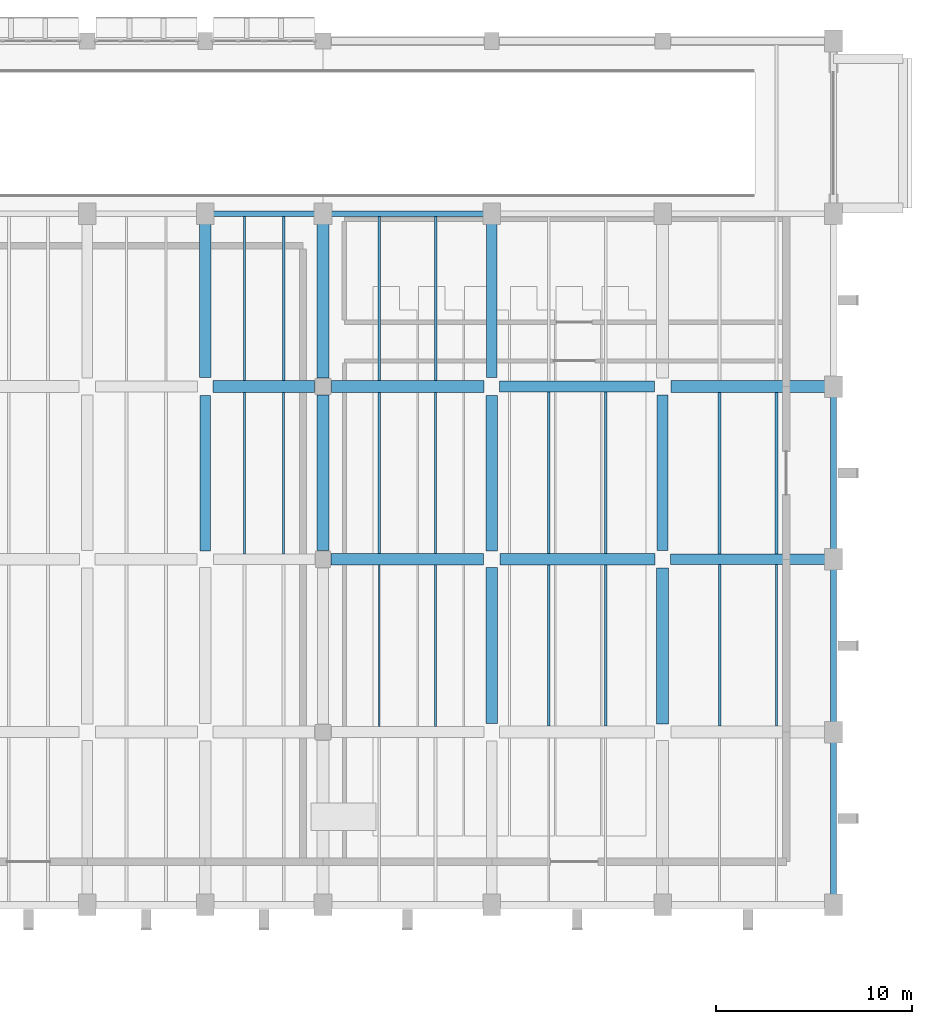
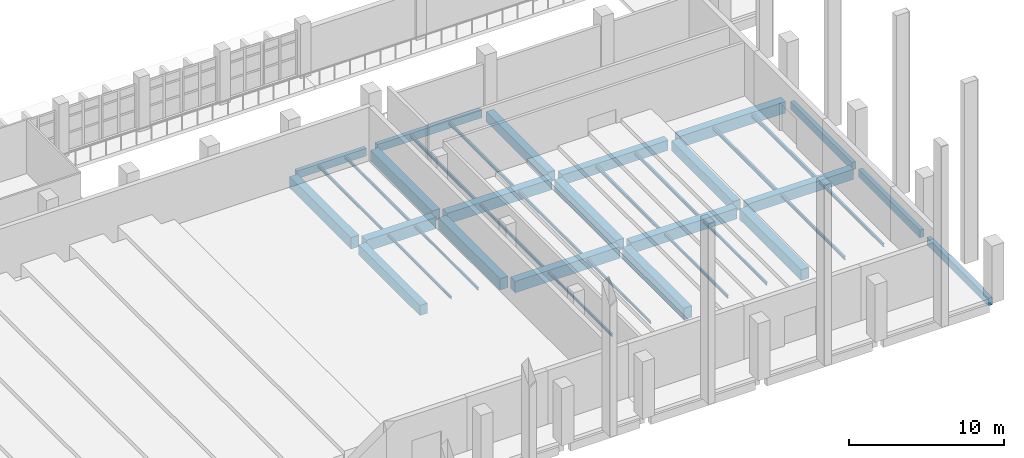
# One storey, part 47 of 76: 39 beams.
"""IFC4 building model written with IfcOpenShell, lengths in metres."""

from ifc_helpers import new_model, si_unit, direction, frame, origin, origin_2d, place, context, subcontext, project, spatial, rectangle, i_section, extrude, material, material_profile, profile_set, type_object, element, save


model = new_model("IFC4")

# Units and contexts
model_context = context("Model", 3, precision=1e-05, world=origin(), true_north=direction((0.0, 1.0)))
body_context = subcontext(model_context, "Body", "Model", "MODEL_VIEW")
ifc_project = project(units=[si_unit("LENGTHUNIT", "METRE"), si_unit("AREAUNIT", "SQUARE_METRE"), si_unit("VOLUMEUNIT", "CUBIC_METRE"), si_unit("PLANEANGLEUNIT", "RADIAN"), si_unit("MASSUNIT", "GRAM", prefix="KILO")], contexts=[model_context])

# Site, building, storey
site_placement = place(None, origin())
site = spatial("IfcSite", under=ifc_project, at=site_placement, CompositionType="ELEMENT")
building_placement = place(site_placement, origin())
building = spatial("IfcBuilding", under=site, at=building_placement, Name="Varnakota Cinema and Media Centre", CompositionType="ELEMENT")
storey_placement = place(building_placement, origin())
storey = spatial("IfcBuildingStorey", under=building, at=storey_placement, Name="L00", CompositionType="ELEMENT", Elevation=0.0)

# Beams
ifc_material_1 = material(Name="Concrete M35", Category="concrete")
ifc_material_profile_1 = material_profile(ifc_material_1, rectangle(XDim=0.550048828125, YDim=0.800048828125, at=origin_2d()), Name="RCB 550x800")
ifc_profile_set_1 = profile_set([ifc_material_profile_1], Name="Concrete M35")
beam_type_1 = type_object("IfcBeamType", Name="BM-RC-550x800", PredefinedType="BEAM", material=ifc_profile_set_1)
for number, where, z_axis, x_axis, name in (
    (1, (152.699951171875, 17.60009765625, -0.679931640625), (1.0, 0.0, 0.0), (0.0, 1.0, 0.0), "L00 girder X-Y/3"),
    (2, (144.0, 26.39990234375, -0.679931640625), (1.0, 0.0, 0.0), (0.0, 1.0, 0.0), "L00 girder W-X/4"),
):
    element("IfcBeam", number, at=place(storey_placement, frame(where, z_axis=z_axis, x_axis=x_axis)), inside=storey, type_object=beam_type_1, Name=name, PredefinedType="BEAM", context=body_context, shape_type="SweptSolid", body=[
        extrude(rectangle(XDim=0.550048828125, YDim=0.800048828125, at=origin_2d()), origin(), (0.0, 0.0, 1.0), 7.875),
    ])
beam_1_placement = place(storey_placement, frame((129.0, 18.02490234375, -0.679931640625), z_axis=(0.0, 1.0, 0.0), x_axis=(-1.0, 0.0, 0.0)))
element("IfcBeam", 3, at=beam_1_placement, inside=storey, type_object=beam_type_1, Name="L00 girder U/3-4", PredefinedType="BEAM", context=body_context, shape_type="SweptSolid", body=[
    extrude(rectangle(XDim=0.550048828125, YDim=0.800048828125, at=origin_2d()), origin(), (0.0, 0.0, 1.0), 7.925048828125),
])
beam_2_placement = place(storey_placement, frame((143.60009765625, 26.85009765625, -0.679931640625), z_axis=(0.0, 1.0, 0.0), x_axis=(-1.0, 0.0, 0.0)))
element("IfcBeam", 4, at=beam_2_placement, inside=storey, type_object=beam_type_1, Name="L00 girder W/4-5", PredefinedType="BEAM", context=body_context, shape_type="SweptSolid", body=[
    extrude(rectangle(XDim=0.550048828125, YDim=0.800048828125, at=origin_2d()), origin(), (0.0, 0.0, 1.0), 7.9248046875),
])
beam_3_placement = place(storey_placement, frame((152.300048828125, 18.050048828125, -0.679931640625), z_axis=(0.0, 1.0, 0.0), x_axis=(-1.0, 0.0, 0.0)))
element("IfcBeam", 5, at=beam_3_placement, inside=storey, type_object=beam_type_1, Name="L00 girder X/3-4", PredefinedType="BEAM", context=body_context, shape_type="SweptSolid", body=[
    extrude(rectangle(XDim=0.550048828125, YDim=0.800048828125, at=origin_2d()), origin(), (0.0, 0.0, 1.0), 7.925048828125),
])
ifc_material_2 = material(Name="Concrete M35", Category="concrete")
ifc_material_profile_2 = material_profile(ifc_material_2, rectangle(XDim=0.60009765625, YDim=0.85009765625, at=origin_2d()), Name="RCB 600x850")
ifc_profile_set_2 = profile_set([ifc_material_profile_2], Name="Concrete M35")
beam_type_2 = type_object("IfcBeamType", Name="BM-RC-600x850", PredefinedType="BEAM", material=ifc_profile_set_2)
beam_4_placement = place(storey_placement, frame((144.02490234375, 17.60009765625, -0.705078125), z_axis=(1.0, 0.0, 0.0), x_axis=(0.0, 1.0, 0.0)))
element("IfcBeam", 6, at=beam_4_placement, inside=storey, type_object=beam_type_2, Name="L00 girder W-X/3", PredefinedType="BEAM", context=body_context, shape_type="SweptSolid", body=[
    extrude(rectangle(XDim=0.60009765625, YDim=0.85009765625, at=origin_2d()), origin(), (0.0, 0.0, 1.0), 7.875),
])
beam_5_placement = place(storey_placement, frame((135.425048828125, 26.39990234375, -0.705078125), z_axis=(1.0, 0.0, 0.0), x_axis=(0.0, 1.0, 0.0)))
element("IfcBeam", 7, at=beam_5_placement, inside=storey, type_object=beam_type_2, Name="L00 girder V-W/4", PredefinedType="BEAM", context=body_context, shape_type="SweptSolid", body=[
    extrude(rectangle(XDim=0.60009765625, YDim=0.85009765625, at=origin_2d()), origin(), (0.0, 0.0, 1.0), 7.77490234375),
])
for number, where, z_axis, x_axis, name in (
    (8, (135.0, 26.824951171875, -0.705078125), (0.0, 1.0, 0.0), (-1.0, 0.0, 0.0), "L00 girder V/4-5"),
    (9, (143.60009765625, 18.02490234375, -0.705078125), (0.0, 1.0, 0.0), (-1.0, 0.0, 0.0), "L00 girder W/3-4"),
):
    element("IfcBeam", number, at=place(storey_placement, frame(where, z_axis=z_axis, x_axis=x_axis)), inside=storey, type_object=beam_type_2, Name=name, PredefinedType="BEAM", context=body_context, shape_type="SweptSolid", body=[
        extrude(rectangle(XDim=0.60009765625, YDim=0.85009765625, at=origin_2d()), origin(), (0.0, 0.0, 1.0), 7.925048828125),
    ])
beam_6_placement = place(storey_placement, frame((152.300048828125, 9.22509765625, -0.705078125), z_axis=(0.0, 1.0, 0.0), x_axis=(-1.0, 0.0, 0.0)))
element("IfcBeam", 10, at=beam_6_placement, inside=storey, type_object=beam_type_2, Name="L00 girder X/2-3", PredefinedType="BEAM", context=body_context, shape_type="SweptSolid", body=[
    extrude(rectangle(XDim=0.60009765625, YDim=0.85009765625, at=origin_2d()), origin(), (0.0, 0.0, 1.0), 7.9248046875),
])
ifc_material_3 = material(Name="Concrete M40", Category="concrete")
ifc_material_profile_3 = material_profile(ifc_material_3, rectangle(XDim=0.60009765625, YDim=0.89990234375, at=origin_2d()), Name="RCB 600x900")
ifc_profile_set_3 = profile_set([ifc_material_profile_3], Name="Concrete M40")
beam_type_3 = type_object("IfcBeamType", Name="BM-RC-600x900", PredefinedType="BEAM", material=ifc_profile_set_3)
beam_7_placement = place(storey_placement, frame((135.39990234375, 17.60009765625, -0.72998046875), z_axis=(1.0, 0.0, 0.0), x_axis=(0.0, 1.0, 0.0)))
element("IfcBeam", 11, at=beam_7_placement, inside=storey, type_object=beam_type_3, Name="L00 girder V-W/3", PredefinedType="BEAM", context=body_context, shape_type="SweptSolid", body=[
    extrude(rectangle(XDim=0.60009765625, YDim=0.89990234375, at=origin_2d()), origin(), (0.0, 0.0, 1.0), 7.775146484375),
])
beam_8_placement = place(storey_placement, frame((129.39990234375, 26.39990234375, -0.72998046875), z_axis=(1.0, 0.0, 0.0), x_axis=(0.0, 1.0, 0.0)))
element("IfcBeam", 12, at=beam_8_placement, inside=storey, type_object=beam_type_3, Name="L00 girder U-V/4", PredefinedType="BEAM", context=body_context, shape_type="SweptSolid", body=[
    extrude(rectangle(XDim=0.60009765625, YDim=0.89990234375, at=origin_2d()), origin(), (0.0, 0.0, 1.0), 5.175048828125),
])
beam_9_placement = place(storey_placement, frame((152.72509765625, 26.39990234375, -0.72998046875), z_axis=(1.0, 0.0, 0.0), x_axis=(0.0, 1.0, 0.0)))
element("IfcBeam", 13, at=beam_9_placement, inside=storey, type_object=beam_type_3, Name="L00 girder X-Y/4", PredefinedType="BEAM", context=body_context, shape_type="SweptSolid", body=[
    extrude(rectangle(XDim=0.60009765625, YDim=0.89990234375, at=origin_2d()), origin(), (0.0, 0.0, 1.0), 7.875),
])
beam_10_placement = place(storey_placement, frame((129.0, 26.85009765625, -0.72998046875), z_axis=(0.0, 1.0, 0.0), x_axis=(-1.0, 0.0, 0.0)))
element("IfcBeam", 14, at=beam_10_placement, inside=storey, type_object=beam_type_3, Name="L00 girder U/4-5", PredefinedType="BEAM", context=body_context, shape_type="SweptSolid", body=[
    extrude(rectangle(XDim=0.60009765625, YDim=0.89990234375, at=origin_2d()), origin(), (0.0, 0.0, 1.0), 7.9248046875),
])
for number, where, z_axis, x_axis, name in (
    (15, (135.0, 18.050048828125, -0.72998046875), (0.0, 1.0, 0.0), (-1.0, 0.0, 0.0), "L00 girder V/3-4"),
    (16, (143.60009765625, 9.25, -0.72998046875), (0.0, 1.0, 0.0), (-1.0, 0.0, 0.0), "L00 girder W/2-3"),
):
    element("IfcBeam", number, at=place(storey_placement, frame(where, z_axis=z_axis, x_axis=x_axis)), inside=storey, type_object=beam_type_3, Name=name, PredefinedType="BEAM", context=body_context, shape_type="SweptSolid", body=[
        extrude(rectangle(XDim=0.60009765625, YDim=0.89990234375, at=origin_2d()), origin(), (0.0, 0.0, 1.0), 7.925048828125),
    ])
ifc_material_4 = material(Name="Concrete M35", Category="concrete")
ifc_material_profile_4 = material_profile(ifc_material_4, rectangle(XDim=0.300048828125, YDim=0.60009765625, at=origin_2d()), Name="RCB 300x600")
ifc_profile_set_4 = profile_set([ifc_material_profile_4], Name="Concrete M35")
beam_type_4 = type_object("IfcBeamType", Name="BM-SP-300x600", PredefinedType="SPANDREL", material=ifc_profile_set_4)
beam_11_placement = place(storey_placement, frame((129.425048828125, 35.199951171875, -0.580078125), z_axis=(1.0, 0.0, 0.0), x_axis=(0.0, 1.0, 0.0)))
element("IfcBeam", 17, at=beam_11_placement, inside=storey, type_object=beam_type_4, Name="L00 girder U-V/5", PredefinedType="SPANDREL", context=body_context, shape_type="SweptSolid", body=[
    extrude(rectangle(XDim=0.300048828125, YDim=0.60009765625, at=origin_2d()), origin(), (0.0, 0.0, 1.0), 5.175048828125),
])
beam_12_placement = place(storey_placement, frame((135.39990234375, 35.199951171875, -0.580078125), z_axis=(1.0, 0.0, 0.0), x_axis=(0.0, 1.0, 0.0)))
element("IfcBeam", 18, at=beam_12_placement, inside=storey, type_object=beam_type_4, Name="L00 girder V-W/5", PredefinedType="SPANDREL", context=body_context, shape_type="SweptSolid", body=[
    extrude(rectangle(XDim=0.300048828125, YDim=0.60009765625, at=origin_2d()), origin(), (0.0, 0.0, 1.0), 7.775146484375),
])
for number, where, z_axis, x_axis, name in (
    (19, (161.0, 0.425048828125, -0.580078125), (0.0, 1.0, 0.0), (-1.0, 0.0, 0.0), "L00 girder Y/1-2"),
    (20, (161.0, 9.25, -0.580078125), (0.0, 1.0, 0.0), (-1.0, 0.0, 0.0), "L00 girder Y/2-3"),
    (21, (161.0, 18.02490234375, -0.580078125), (0.0, 1.0, 0.0), (-1.0, 0.0, 0.0), "L00 girder Y/3-4"),
):
    element("IfcBeam", number, at=place(storey_placement, frame(where, z_axis=z_axis, x_axis=x_axis)), inside=storey, type_object=beam_type_4, Name=name, PredefinedType="SPANDREL", context=body_context, shape_type="SweptSolid", body=[
        extrude(rectangle(XDim=0.300048828125, YDim=0.60009765625, at=origin_2d()), origin(), (0.0, 0.0, 1.0), 7.925048828125),
    ])
ifc_material_5 = material(Name="Structural steel Grade 350 (E350)", Category="steel")
ifc_material_profile_5 = material_profile(ifc_material_5, i_section(OverallWidth=0.10009765625, OverallDepth=0.199951171875, WebThickness=0.005615234375, FlangeThickness=0.0107421875, FilletRadius=0.010986328125, at=origin_2d()), Name="ISMB 200")
ifc_profile_set_5 = profile_set([ifc_material_profile_5], Name="Structural steel Grade 350 (E350)")
beam_type_5 = type_object("IfcBeamType", Name="BM-ST-ISMB200", PredefinedType="JOIST", material=ifc_profile_set_5)
for number, where, z_axis, x_axis, name in (
    (22, (131.0, 17.875, -0.3798828125), (0.0, 1.0, 0.0), (-1.0, 0.0, 0.0), "L00 steel joist U-V/3-4 #1"),
    (23, (133.0, 17.875, -0.3798828125), (0.0, 1.0, 0.0), (-1.0, 0.0, 0.0), "L00 steel joist U-V/3-4 #2"),
    (24, (137.86669921875, 9.074951171875, -0.3798828125), (0.0, 1.0, 0.0), (-1.0, 0.0, 0.0), "L00 steel joist V-W/2-3 #1"),
    (25, (140.7333984375, 9.074951171875, -0.3798828125), (0.0, 1.0, 0.0), (-1.0, 0.0, 0.0), "L00 steel joist V-W/2-3 #2"),
):
    element("IfcBeam", number, at=place(storey_placement, frame(where, z_axis=z_axis, x_axis=x_axis)), inside=storey, type_object=beam_type_5, Name=name, PredefinedType="JOIST", context=body_context, shape_type="SweptSolid", body=[
        extrude(i_section(OverallWidth=0.10009765625, OverallDepth=0.199951171875, WebThickness=0.005615234375, FlangeThickness=0.0107421875, FilletRadius=0.010986328125, at=origin_2d()), origin(), (0.0, 0.0, 1.0), 8.22509765625),
    ])
ifc_material_6 = material(Name="Structural steel Grade 350 (E350)", Category="steel")
ifc_material_profile_6 = material_profile(ifc_material_6, i_section(OverallWidth=0.110107421875, OverallDepth=0.22509765625, WebThickness=0.006591796875, FlangeThickness=0.01171875, FilletRadius=0.011962890625, at=origin_2d()), Name="ISMB 225")
ifc_profile_set_6 = profile_set([ifc_material_profile_6], Name="Structural steel Grade 350 (E350)")
beam_type_6 = type_object("IfcBeamType", Name="BM-ST-ISMB225", PredefinedType="JOIST", material=ifc_profile_set_6)
for number, where, z_axis, x_axis, name in (
    (26, (131.0, 26.699951171875, -0.392578125), (0.0, 1.0, 0.0), (-1.0, 0.0, 0.0), "L00 steel joist U-V/4-5 #1"),
    (27, (133.0, 26.699951171875, -0.392578125), (0.0, 1.0, 0.0), (-1.0, 0.0, 0.0), "L00 steel joist U-V/4-5 #2"),
):
    element("IfcBeam", number, at=place(storey_placement, frame(where, z_axis=z_axis, x_axis=x_axis)), inside=storey, type_object=beam_type_6, Name=name, PredefinedType="JOIST", context=body_context, shape_type="SweptSolid", body=[
        extrude(i_section(OverallWidth=0.110107421875, OverallDepth=0.22509765625, WebThickness=0.006591796875, FlangeThickness=0.01171875, FilletRadius=0.011962890625, at=origin_2d()), origin(), (0.0, 0.0, 1.0), 8.35009765625),
    ])
for number, where, z_axis, x_axis, name in (
    (28, (137.86669921875, 17.89990234375, -0.392578125), (0.0, 1.0, 0.0), (-1.0, 0.0, 0.0), "L00 steel joist V-W/3-4 #1"),
    (29, (140.7333984375, 17.89990234375, -0.392578125), (0.0, 1.0, 0.0), (-1.0, 0.0, 0.0), "L00 steel joist V-W/3-4 #2"),
):
    element("IfcBeam", number, at=place(storey_placement, frame(where, z_axis=z_axis, x_axis=x_axis)), inside=storey, type_object=beam_type_6, Name=name, PredefinedType="JOIST", context=body_context, shape_type="SweptSolid", body=[
        extrude(i_section(OverallWidth=0.110107421875, OverallDepth=0.22509765625, WebThickness=0.006591796875, FlangeThickness=0.01171875, FilletRadius=0.011962890625, at=origin_2d()), origin(), (0.0, 0.0, 1.0), 8.2001953125),
    ])
for number, where, z_axis, x_axis, name in (
    (30, (146.5, 9.10009765625, -0.392578125), (0.0, 1.0, 0.0), (-1.0, 0.0, 0.0), "L00 steel joist W-X/2-3 #1"),
    (31, (149.39990234375, 9.10009765625, -0.392578125), (0.0, 1.0, 0.0), (-1.0, 0.0, 0.0), "L00 steel joist W-X/2-3 #2"),
):
    element("IfcBeam", number, at=place(storey_placement, frame(where, z_axis=z_axis, x_axis=x_axis)), inside=storey, type_object=beam_type_6, Name=name, PredefinedType="JOIST", context=body_context, shape_type="SweptSolid", body=[
        extrude(i_section(OverallWidth=0.110107421875, OverallDepth=0.22509765625, WebThickness=0.006591796875, FlangeThickness=0.01171875, FilletRadius=0.011962890625, at=origin_2d()), origin(), (0.0, 0.0, 1.0), 8.199951171875),
    ])
ifc_material_7 = material(Name="Structural steel Grade 350 (E350)", Category="steel")
ifc_material_profile_7 = material_profile(ifc_material_7, i_section(OverallWidth=0.125, OverallDepth=0.25, WebThickness=0.0068359375, FlangeThickness=0.012451171875, FilletRadius=0.012939453125, at=origin_2d()), Name="ISMB 250")
ifc_profile_set_7 = profile_set([ifc_material_profile_7], Name="Structural steel Grade 350 (E350)")
beam_type_7 = type_object("IfcBeamType", Name="BM-ST-ISMB250", PredefinedType="JOIST", material=ifc_profile_set_7)
for number, where, z_axis, x_axis, name in (
    (32, (137.86669921875, 26.699951171875, -0.405029296875), (0.0, 1.0, 0.0), (-1.0, 0.0, 0.0), "L00 steel joist V-W/4-5 #1"),
    (33, (140.7333984375, 26.699951171875, -0.405029296875), (0.0, 1.0, 0.0), (-1.0, 0.0, 0.0), "L00 steel joist V-W/4-5 #2"),
):
    element("IfcBeam", number, at=place(storey_placement, frame(where, z_axis=z_axis, x_axis=x_axis)), inside=storey, type_object=beam_type_7, Name=name, PredefinedType="JOIST", context=body_context, shape_type="SweptSolid", body=[
        extrude(i_section(OverallWidth=0.125, OverallDepth=0.25, WebThickness=0.0068359375, FlangeThickness=0.012451171875, FilletRadius=0.012939453125, at=origin_2d()), origin(), (0.0, 0.0, 1.0), 8.35009765625),
    ])
for number, where, z_axis, x_axis, name in (
    (34, (146.5, 17.89990234375, -0.405029296875), (0.0, 1.0, 0.0), (-1.0, 0.0, 0.0), "L00 steel joist W-X/3-4 #1"),
    (35, (149.39990234375, 17.89990234375, -0.405029296875), (0.0, 1.0, 0.0), (-1.0, 0.0, 0.0), "L00 steel joist W-X/3-4 #2"),
):
    element("IfcBeam", number, at=place(storey_placement, frame(where, z_axis=z_axis, x_axis=x_axis)), inside=storey, type_object=beam_type_7, Name=name, PredefinedType="JOIST", context=body_context, shape_type="SweptSolid", body=[
        extrude(i_section(OverallWidth=0.125, OverallDepth=0.25, WebThickness=0.0068359375, FlangeThickness=0.012451171875, FilletRadius=0.012939453125, at=origin_2d()), origin(), (0.0, 0.0, 1.0), 8.22509765625),
    ])
for number, where, z_axis, x_axis, name in (
    (36, (155.199951171875, 9.10009765625, -0.405029296875), (0.0, 1.0, 0.0), (-1.0, 0.0, 0.0), "L00 steel joist X-Y/2-3 #1"),
    (37, (158.10009765625, 9.10009765625, -0.405029296875), (0.0, 1.0, 0.0), (-1.0, 0.0, 0.0), "L00 steel joist X-Y/2-3 #2"),
):
    element("IfcBeam", number, at=place(storey_placement, frame(where, z_axis=z_axis, x_axis=x_axis)), inside=storey, type_object=beam_type_7, Name=name, PredefinedType="JOIST", context=body_context, shape_type="SweptSolid", body=[
        extrude(i_section(OverallWidth=0.125, OverallDepth=0.25, WebThickness=0.0068359375, FlangeThickness=0.012451171875, FilletRadius=0.012939453125, at=origin_2d()), origin(), (0.0, 0.0, 1.0), 8.224853515625),
    ])
ifc_material_8 = material(Name="Structural steel Grade 350 (E350)", Category="steel")
ifc_material_profile_8 = material_profile(ifc_material_8, i_section(OverallWidth=0.139892578125, OverallDepth=0.300048828125, WebThickness=0.0078125, FlangeThickness=0.01318359375, FilletRadius=0.013916015625, at=origin_2d()), Name="ISMB 300")
ifc_profile_set_8 = profile_set([ifc_material_profile_8], Name="Structural steel Grade 350 (E350)")
beam_type_8 = type_object("IfcBeamType", Name="BM-ST-ISMB300", PredefinedType="JOIST", material=ifc_profile_set_8)
for number, where, z_axis, x_axis, name in (
    (38, (155.199951171875, 17.875, -0.429931640625), (0.0, 1.0, 0.0), (-1.0, 0.0, 0.0), "L00 steel joist X-Y/3-4 #1"),
    (39, (158.10009765625, 17.875, -0.429931640625), (0.0, 1.0, 0.0), (-1.0, 0.0, 0.0), "L00 steel joist X-Y/3-4 #2"),
):
    element("IfcBeam", number, at=place(storey_placement, frame(where, z_axis=z_axis, x_axis=x_axis)), inside=storey, type_object=beam_type_8, Name=name, PredefinedType="JOIST", context=body_context, shape_type="SweptSolid", body=[
        extrude(i_section(OverallWidth=0.139892578125, OverallDepth=0.300048828125, WebThickness=0.0078125, FlangeThickness=0.01318359375, FilletRadius=0.013916015625, at=origin_2d()), origin(), (0.0, 0.0, 1.0), 8.22509765625),
    ])

save(model, "model.ifc")
